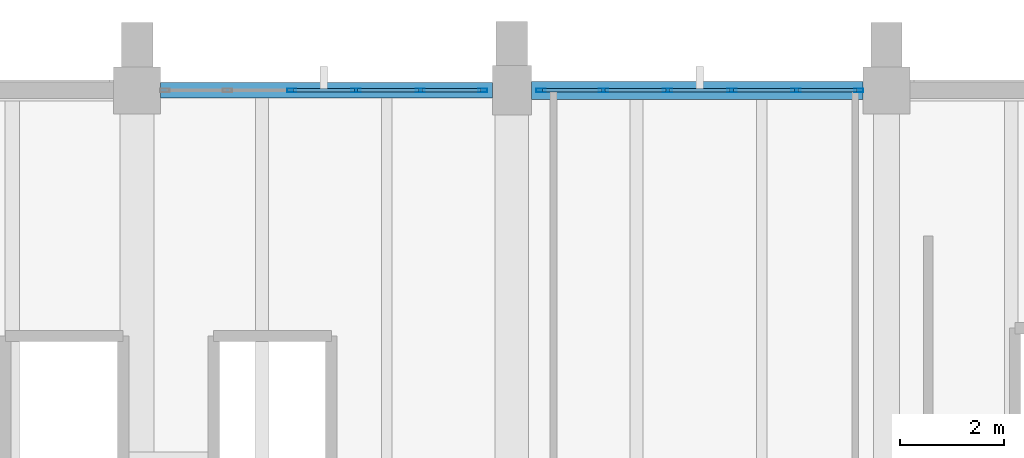
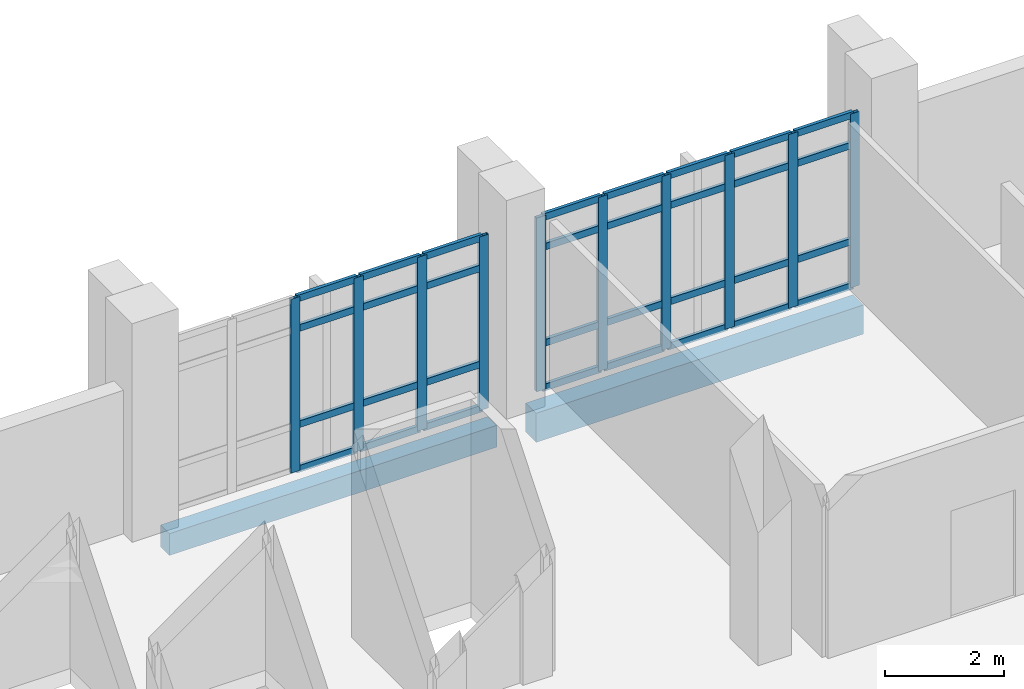
# One storey, part 57 of 134: 42 members, 2 beams, 2 elements without a shape of their own.
"""IFC4 building model written with IfcOpenShell, lengths in metres."""

from ifc_helpers import new_model, si_unit, direction, frame, origin, origin_2d, place, context, subcontext, project, spatial, rectangle, hollow_rectangle, extrude, material, material_profile, profile_set, type_object, element, aggregate, save


model = new_model("IFC4")

# Units and contexts
model_context = context("Model", 3, precision=1e-05, world=origin(), true_north=direction((0.0, 1.0)))
body_context = subcontext(model_context, "Body", "Model", "MODEL_VIEW")
ifc_project = project(units=[si_unit("LENGTHUNIT", "METRE"), si_unit("AREAUNIT", "SQUARE_METRE"), si_unit("VOLUMEUNIT", "CUBIC_METRE"), si_unit("PLANEANGLEUNIT", "RADIAN"), si_unit("MASSUNIT", "GRAM", prefix="KILO")], contexts=[model_context])

# Site, building, storey
site_placement = place(None, origin())
site = spatial("IfcSite", under=ifc_project, at=site_placement, CompositionType="ELEMENT")
building_placement = place(site_placement, origin())
building = spatial("IfcBuilding", under=site, at=building_placement, Name="Kalluvel Institute of Natural Sciences", CompositionType="ELEMENT")
storey_placement = place(building_placement, frame((0.0, 0.0, 5.39990234375)))
storey = spatial("IfcBuildingStorey", under=building, at=storey_placement, Name="L01", CompositionType="ELEMENT", Elevation=5.39990234375)

# Curtain wall, members
ifc_material_1 = material(Name="Aluminium AW-6063 T6", Category="aluminium")
curtain_wall_type = type_object("IfcCurtainWallType", Name="CW-WET-45", PredefinedType="USERDEFINED", material=ifc_material_1)
curtain_wall_1_placement = place(storey_placement, origin())
curtain_wall_1 = element("IfcCurtainWall", 1, at=curtain_wall_1_placement, inside=storey, type_object=curtain_wall_type, Name="L01 Gothic lancet curtain wall CWA-L01-X433-Y1280", ObjectType="UNITISED LANCET FACADE", PredefinedType="USERDEFINED")
ifc_material_profile_1 = material_profile(ifc_material_1, hollow_rectangle(XDim=0.06494140625, YDim=0.179931640625, WallThickness=0.00439453125, at=origin_2d()), Name="CWM 65x180")
ifc_profile_set_1 = profile_set([ifc_material_profile_1], Name="Aluminium AW-6063 T6")
member_type_1 = type_object("IfcMemberType", Name="CWM-65x180", PredefinedType="MULLION", material=ifc_profile_set_1)
member_1_placement = place(storey_placement, frame((45.77001953125, 128.0, 0.0), z_axis=(0.0, 0.0, 1.0), x_axis=(0.0, 1.0, 0.0)))
member_1 = element("IfcMember", 2, at=member_1_placement, type_object=member_type_1, Name="CW-01 mullion 3", PredefinedType="MULLION", context=body_context, shape_type="SweptSolid", body=[
    extrude(hollow_rectangle(XDim=0.06494140625, YDim=0.179931640625, WallThickness=0.00439453125, at=origin_2d()), origin(), (0.0, 0.0, 1.0), 3.580078125),
])
member_2_placement = place(storey_placement, frame((47.0048828125, 128.0, 0.0), z_axis=(0.0, 0.0, 1.0), x_axis=(0.0, 1.0, 0.0)))
member_2 = element("IfcMember", 3, at=member_2_placement, type_object=member_type_1, Name="CW-01 mullion 4", PredefinedType="MULLION", context=body_context, shape_type="SweptSolid", body=[
    extrude(hollow_rectangle(XDim=0.06494140625, YDim=0.179931640625, WallThickness=0.00439453125, at=origin_2d()), origin(), (0.0, 0.0, 1.0), 3.580078125),
])
member_3_placement = place(storey_placement, frame((48.239990234375, 128.0, 0.0), z_axis=(0.0, 0.0, 1.0), x_axis=(0.0, 1.0, 0.0)))
member_3 = element("IfcMember", 4, at=member_3_placement, type_object=member_type_1, Name="CW-01 mullion 5", PredefinedType="MULLION", context=body_context, shape_type="SweptSolid", body=[
    extrude(hollow_rectangle(XDim=0.06494140625, YDim=0.179931640625, WallThickness=0.00439453125, at=origin_2d()), origin(), (0.0, 0.0, 1.0), 3.580078125),
])
member_4_placement = place(storey_placement, frame((49.4423828125, 128.0, 0.0), z_axis=(0.0, 0.0, 1.0), x_axis=(0.0, 1.0, 0.0)))
member_4 = element("IfcMember", 5, at=member_4_placement, type_object=member_type_1, Name="CW-01 mullion 6", PredefinedType="MULLION", context=body_context, shape_type="SweptSolid", body=[
    extrude(hollow_rectangle(XDim=0.06494140625, YDim=0.179931640625, WallThickness=0.00439453125, at=origin_2d()), origin(), (0.0, 0.0, 1.0), 3.580078125),
])

curtain_wall_2_placement = place(storey_placement, origin())
curtain_wall_2 = element("IfcCurtainWall", 6, at=curtain_wall_2_placement, inside=storey, type_object=curtain_wall_type, Name="L01 Gothic lancet curtain wall CWA-L01-X505-Y1280", ObjectType="UNITISED LANCET FACADE", PredefinedType="USERDEFINED")
member_5_placement = place(storey_placement, frame((50.5576171875, 128.0, 0.0), z_axis=(0.0, 0.0, 1.0), x_axis=(0.0, 1.0, 0.0)))
member_5 = element("IfcMember", 7, at=member_5_placement, type_object=member_type_1, Name="CW-01 mullion 1", PredefinedType="MULLION", context=body_context, shape_type="SweptSolid", body=[
    extrude(hollow_rectangle(XDim=0.06494140625, YDim=0.179931640625, WallThickness=0.00439453125, at=origin_2d()), origin(), (0.0, 0.0, 1.0), 3.580078125),
])
member_6_placement = place(storey_placement, frame((51.760009765625, 128.0, 0.0), z_axis=(0.0, 0.0, 1.0), x_axis=(0.0, 1.0, 0.0)))
member_6 = element("IfcMember", 8, at=member_6_placement, type_object=member_type_1, Name="CW-01 mullion 2", PredefinedType="MULLION", context=body_context, shape_type="SweptSolid", body=[
    extrude(hollow_rectangle(XDim=0.06494140625, YDim=0.179931640625, WallThickness=0.00439453125, at=origin_2d()), origin(), (0.0, 0.0, 1.0), 3.580078125),
])
member_7_placement = place(storey_placement, frame((52.9951171875, 128.0, 0.0), z_axis=(0.0, 0.0, 1.0), x_axis=(0.0, 1.0, 0.0)))
member_7 = element("IfcMember", 9, at=member_7_placement, type_object=member_type_1, Name="CW-01 mullion 3", PredefinedType="MULLION", context=body_context, shape_type="SweptSolid", body=[
    extrude(hollow_rectangle(XDim=0.06494140625, YDim=0.179931640625, WallThickness=0.00439453125, at=origin_2d()), origin(), (0.0, 0.0, 1.0), 3.580078125),
])
member_8_placement = place(storey_placement, frame((54.22998046875, 128.0, 0.0), z_axis=(0.0, 0.0, 1.0), x_axis=(0.0, 1.0, 0.0)))
member_8 = element("IfcMember", 10, at=member_8_placement, type_object=member_type_1, Name="CW-01 mullion 4", PredefinedType="MULLION", context=body_context, shape_type="SweptSolid", body=[
    extrude(hollow_rectangle(XDim=0.06494140625, YDim=0.179931640625, WallThickness=0.00439453125, at=origin_2d()), origin(), (0.0, 0.0, 1.0), 3.580078125),
])
member_9_placement = place(storey_placement, frame((55.465087890625, 128.0, 0.0), z_axis=(0.0, 0.0, 1.0), x_axis=(0.0, 1.0, 0.0)))
member_9 = element("IfcMember", 11, at=member_9_placement, type_object=member_type_1, Name="CW-01 mullion 5", PredefinedType="MULLION", context=body_context, shape_type="SweptSolid", body=[
    extrude(hollow_rectangle(XDim=0.06494140625, YDim=0.179931640625, WallThickness=0.00439453125, at=origin_2d()), origin(), (0.0, 0.0, 1.0), 3.580078125),
])
member_10_placement = place(storey_placement, frame((56.66748046875, 128.0, 0.0), z_axis=(0.0, 0.0, 1.0), x_axis=(0.0, 1.0, 0.0)))
member_10 = element("IfcMember", 12, at=member_10_placement, type_object=member_type_1, Name="CW-01 mullion 6", PredefinedType="MULLION", context=body_context, shape_type="SweptSolid", body=[
    extrude(hollow_rectangle(XDim=0.06494140625, YDim=0.179931640625, WallThickness=0.00439453125, at=origin_2d()), origin(), (0.0, 0.0, 1.0), 3.580078125),
])

# Member
ifc_material_profile_2 = material_profile(ifc_material_1, hollow_rectangle(XDim=0.06494140625, YDim=0.139892578125, WallThickness=0.00439453125, at=origin_2d()), Name="CWT 65x140")
ifc_profile_set_2 = profile_set([ifc_material_profile_2], Name="Aluminium AW-6063 T6")
member_type_2 = type_object("IfcMemberType", Name="CWT-65x140", PredefinedType="USERDEFINED", material=ifc_profile_set_2)
member_11_placement = place(storey_placement, frame((45.802490234375, 128.0, 0.03271484375), z_axis=(1.0, 0.0, 0.0), x_axis=(0.0, 1.0, 0.0)))
member_11 = element("IfcMember", 13, at=member_11_placement, type_object=member_type_2, Name="CW-01 transom 3.1", ObjectType="TRANSOM", PredefinedType="USERDEFINED", context=body_context, shape_type="SweptSolid", body=[
    extrude(hollow_rectangle(XDim=0.06494140625, YDim=0.139892578125, WallThickness=0.00439453125, at=origin_2d()), origin(), (0.0, 0.0, 1.0), 1.169921875),
])

member_12_placement = place(storey_placement, frame((45.802490234375, 128.0, 0.9501953125), z_axis=(1.0, 0.0, 0.0), x_axis=(0.0, 1.0, 0.0)))
member_12 = element("IfcMember", 14, at=member_12_placement, type_object=member_type_2, Name="CW-01 transom 3.2", ObjectType="TRANSOM", PredefinedType="USERDEFINED", context=body_context, shape_type="SweptSolid", body=[
    extrude(hollow_rectangle(XDim=0.06494140625, YDim=0.139892578125, WallThickness=0.00439453125, at=origin_2d()), origin(), (0.0, 0.0, 1.0), 1.169921875),
])

member_13_placement = place(storey_placement, frame((45.802490234375, 128.0, 2.93017578125), z_axis=(1.0, 0.0, 0.0), x_axis=(0.0, 1.0, 0.0)))
member_13 = element("IfcMember", 15, at=member_13_placement, type_object=member_type_2, Name="CW-01 transom 3.3", ObjectType="TRANSOM", PredefinedType="USERDEFINED", context=body_context, shape_type="SweptSolid", body=[
    extrude(hollow_rectangle(XDim=0.06494140625, YDim=0.139892578125, WallThickness=0.00439453125, at=origin_2d()), origin(), (0.0, 0.0, 1.0), 1.169921875),
])

member_14_placement = place(storey_placement, frame((45.802490234375, 128.0, 3.547607421875), z_axis=(1.0, 0.0, 0.0), x_axis=(0.0, 1.0, 0.0)))
member_14 = element("IfcMember", 16, at=member_14_placement, type_object=member_type_2, Name="CW-01 transom 3.4", ObjectType="TRANSOM", PredefinedType="USERDEFINED", context=body_context, shape_type="SweptSolid", body=[
    extrude(hollow_rectangle(XDim=0.06494140625, YDim=0.139892578125, WallThickness=0.00439453125, at=origin_2d()), origin(), (0.0, 0.0, 1.0), 1.169921875),
])

member_15_placement = place(storey_placement, frame((47.03759765625, 128.0, 0.03271484375), z_axis=(1.0, 0.0, 0.0), x_axis=(0.0, 1.0, 0.0)))
member_15 = element("IfcMember", 17, at=member_15_placement, type_object=member_type_2, Name="CW-01 transom 4.1", ObjectType="TRANSOM", PredefinedType="USERDEFINED", context=body_context, shape_type="SweptSolid", body=[
    extrude(hollow_rectangle(XDim=0.06494140625, YDim=0.139892578125, WallThickness=0.00439453125, at=origin_2d()), origin(), (0.0, 0.0, 1.0), 1.169921875),
])

member_16_placement = place(storey_placement, frame((47.03759765625, 128.0, 0.9501953125), z_axis=(1.0, 0.0, 0.0), x_axis=(0.0, 1.0, 0.0)))
member_16 = element("IfcMember", 18, at=member_16_placement, type_object=member_type_2, Name="CW-01 transom 4.2", ObjectType="TRANSOM", PredefinedType="USERDEFINED", context=body_context, shape_type="SweptSolid", body=[
    extrude(hollow_rectangle(XDim=0.06494140625, YDim=0.139892578125, WallThickness=0.00439453125, at=origin_2d()), origin(), (0.0, 0.0, 1.0), 1.169921875),
])

member_17_placement = place(storey_placement, frame((47.03759765625, 128.0, 2.93017578125), z_axis=(1.0, 0.0, 0.0), x_axis=(0.0, 1.0, 0.0)))
member_17 = element("IfcMember", 19, at=member_17_placement, type_object=member_type_2, Name="CW-01 transom 4.3", ObjectType="TRANSOM", PredefinedType="USERDEFINED", context=body_context, shape_type="SweptSolid", body=[
    extrude(hollow_rectangle(XDim=0.06494140625, YDim=0.139892578125, WallThickness=0.00439453125, at=origin_2d()), origin(), (0.0, 0.0, 1.0), 1.169921875),
])

member_18_placement = place(storey_placement, frame((47.03759765625, 128.0, 3.547607421875), z_axis=(1.0, 0.0, 0.0), x_axis=(0.0, 1.0, 0.0)))
member_18 = element("IfcMember", 20, at=member_18_placement, type_object=member_type_2, Name="CW-01 transom 4.4", ObjectType="TRANSOM", PredefinedType="USERDEFINED", context=body_context, shape_type="SweptSolid", body=[
    extrude(hollow_rectangle(XDim=0.06494140625, YDim=0.139892578125, WallThickness=0.00439453125, at=origin_2d()), origin(), (0.0, 0.0, 1.0), 1.169921875),
])

member_19_placement = place(storey_placement, frame((48.2724609375, 128.0, 0.03271484375), z_axis=(1.0, 0.0, 0.0), x_axis=(0.0, 1.0, 0.0)))
member_19 = element("IfcMember", 21, at=member_19_placement, type_object=member_type_2, Name="CW-01 transom 5.1", ObjectType="TRANSOM", PredefinedType="USERDEFINED", context=body_context, shape_type="SweptSolid", body=[
    extrude(hollow_rectangle(XDim=0.06494140625, YDim=0.139892578125, WallThickness=0.00439453125, at=origin_2d()), origin(), (0.0, 0.0, 1.0), 1.137451171875),
])

member_20_placement = place(storey_placement, frame((48.2724609375, 128.0, 0.9501953125), z_axis=(1.0, 0.0, 0.0), x_axis=(0.0, 1.0, 0.0)))
member_20 = element("IfcMember", 22, at=member_20_placement, type_object=member_type_2, Name="CW-01 transom 5.2", ObjectType="TRANSOM", PredefinedType="USERDEFINED", context=body_context, shape_type="SweptSolid", body=[
    extrude(hollow_rectangle(XDim=0.06494140625, YDim=0.139892578125, WallThickness=0.00439453125, at=origin_2d()), origin(), (0.0, 0.0, 1.0), 1.137451171875),
])

member_21_placement = place(storey_placement, frame((48.2724609375, 128.0, 2.93017578125), z_axis=(1.0, 0.0, 0.0), x_axis=(0.0, 1.0, 0.0)))
member_21 = element("IfcMember", 23, at=member_21_placement, type_object=member_type_2, Name="CW-01 transom 5.3", ObjectType="TRANSOM", PredefinedType="USERDEFINED", context=body_context, shape_type="SweptSolid", body=[
    extrude(hollow_rectangle(XDim=0.06494140625, YDim=0.139892578125, WallThickness=0.00439453125, at=origin_2d()), origin(), (0.0, 0.0, 1.0), 1.137451171875),
])

member_22_placement = place(storey_placement, frame((48.2724609375, 128.0, 3.547607421875), z_axis=(1.0, 0.0, 0.0), x_axis=(0.0, 1.0, 0.0)))
member_22 = element("IfcMember", 24, at=member_22_placement, type_object=member_type_2, Name="CW-01 transom 5.4", ObjectType="TRANSOM", PredefinedType="USERDEFINED", context=body_context, shape_type="SweptSolid", body=[
    extrude(hollow_rectangle(XDim=0.06494140625, YDim=0.139892578125, WallThickness=0.00439453125, at=origin_2d()), origin(), (0.0, 0.0, 1.0), 1.137451171875),
])

aggregate(curtain_wall_1, [member_1, member_2, member_3, member_4, member_11, member_12, member_13, member_14, member_15, member_16, member_17, member_18, member_19, member_20, member_21, member_22])

member_23_placement = place(storey_placement, frame((50.590087890625, 128.0, 0.03271484375), z_axis=(1.0, 0.0, 0.0), x_axis=(0.0, 1.0, 0.0)))
member_23 = element("IfcMember", 25, at=member_23_placement, type_object=member_type_2, Name="CW-01 transom 1.1", ObjectType="TRANSOM", PredefinedType="USERDEFINED", context=body_context, shape_type="SweptSolid", body=[
    extrude(hollow_rectangle(XDim=0.06494140625, YDim=0.139892578125, WallThickness=0.00439453125, at=origin_2d()), origin(), (0.0, 0.0, 1.0), 1.137451171875),
])

member_24_placement = place(storey_placement, frame((50.590087890625, 128.0, 0.9501953125), z_axis=(1.0, 0.0, 0.0), x_axis=(0.0, 1.0, 0.0)))
member_24 = element("IfcMember", 26, at=member_24_placement, type_object=member_type_2, Name="CW-01 transom 1.2", ObjectType="TRANSOM", PredefinedType="USERDEFINED", context=body_context, shape_type="SweptSolid", body=[
    extrude(hollow_rectangle(XDim=0.06494140625, YDim=0.139892578125, WallThickness=0.00439453125, at=origin_2d()), origin(), (0.0, 0.0, 1.0), 1.137451171875),
])

member_25_placement = place(storey_placement, frame((50.590087890625, 128.0, 2.93017578125), z_axis=(1.0, 0.0, 0.0), x_axis=(0.0, 1.0, 0.0)))
member_25 = element("IfcMember", 27, at=member_25_placement, type_object=member_type_2, Name="CW-01 transom 1.3", ObjectType="TRANSOM", PredefinedType="USERDEFINED", context=body_context, shape_type="SweptSolid", body=[
    extrude(hollow_rectangle(XDim=0.06494140625, YDim=0.139892578125, WallThickness=0.00439453125, at=origin_2d()), origin(), (0.0, 0.0, 1.0), 1.137451171875),
])

member_26_placement = place(storey_placement, frame((50.590087890625, 128.0, 3.547607421875), z_axis=(1.0, 0.0, 0.0), x_axis=(0.0, 1.0, 0.0)))
member_26 = element("IfcMember", 28, at=member_26_placement, type_object=member_type_2, Name="CW-01 transom 1.4", ObjectType="TRANSOM", PredefinedType="USERDEFINED", context=body_context, shape_type="SweptSolid", body=[
    extrude(hollow_rectangle(XDim=0.06494140625, YDim=0.139892578125, WallThickness=0.00439453125, at=origin_2d()), origin(), (0.0, 0.0, 1.0), 1.137451171875),
])

member_27_placement = place(storey_placement, frame((51.79248046875, 128.0, 0.03271484375), z_axis=(1.0, 0.0, 0.0), x_axis=(0.0, 1.0, 0.0)))
member_27 = element("IfcMember", 29, at=member_27_placement, type_object=member_type_2, Name="CW-01 transom 2.1", ObjectType="TRANSOM", PredefinedType="USERDEFINED", context=body_context, shape_type="SweptSolid", body=[
    extrude(hollow_rectangle(XDim=0.06494140625, YDim=0.139892578125, WallThickness=0.00439453125, at=origin_2d()), origin(), (0.0, 0.0, 1.0), 1.169921875),
])

member_28_placement = place(storey_placement, frame((51.79248046875, 128.0, 0.9501953125), z_axis=(1.0, 0.0, 0.0), x_axis=(0.0, 1.0, 0.0)))
member_28 = element("IfcMember", 30, at=member_28_placement, type_object=member_type_2, Name="CW-01 transom 2.2", ObjectType="TRANSOM", PredefinedType="USERDEFINED", context=body_context, shape_type="SweptSolid", body=[
    extrude(hollow_rectangle(XDim=0.06494140625, YDim=0.139892578125, WallThickness=0.00439453125, at=origin_2d()), origin(), (0.0, 0.0, 1.0), 1.169921875),
])

member_29_placement = place(storey_placement, frame((51.79248046875, 128.0, 2.93017578125), z_axis=(1.0, 0.0, 0.0), x_axis=(0.0, 1.0, 0.0)))
member_29 = element("IfcMember", 31, at=member_29_placement, type_object=member_type_2, Name="CW-01 transom 2.3", ObjectType="TRANSOM", PredefinedType="USERDEFINED", context=body_context, shape_type="SweptSolid", body=[
    extrude(hollow_rectangle(XDim=0.06494140625, YDim=0.139892578125, WallThickness=0.00439453125, at=origin_2d()), origin(), (0.0, 0.0, 1.0), 1.169921875),
])

member_30_placement = place(storey_placement, frame((51.79248046875, 128.0, 3.547607421875), z_axis=(1.0, 0.0, 0.0), x_axis=(0.0, 1.0, 0.0)))
member_30 = element("IfcMember", 32, at=member_30_placement, type_object=member_type_2, Name="CW-01 transom 2.4", ObjectType="TRANSOM", PredefinedType="USERDEFINED", context=body_context, shape_type="SweptSolid", body=[
    extrude(hollow_rectangle(XDim=0.06494140625, YDim=0.139892578125, WallThickness=0.00439453125, at=origin_2d()), origin(), (0.0, 0.0, 1.0), 1.169921875),
])

member_31_placement = place(storey_placement, frame((53.027587890625, 128.0, 0.03271484375), z_axis=(1.0, 0.0, 0.0), x_axis=(0.0, 1.0, 0.0)))
member_31 = element("IfcMember", 33, at=member_31_placement, type_object=member_type_2, Name="CW-01 transom 3.1", ObjectType="TRANSOM", PredefinedType="USERDEFINED", context=body_context, shape_type="SweptSolid", body=[
    extrude(hollow_rectangle(XDim=0.06494140625, YDim=0.139892578125, WallThickness=0.00439453125, at=origin_2d()), origin(), (0.0, 0.0, 1.0), 1.169921875),
])

member_32_placement = place(storey_placement, frame((53.027587890625, 128.0, 0.9501953125), z_axis=(1.0, 0.0, 0.0), x_axis=(0.0, 1.0, 0.0)))
member_32 = element("IfcMember", 34, at=member_32_placement, type_object=member_type_2, Name="CW-01 transom 3.2", ObjectType="TRANSOM", PredefinedType="USERDEFINED", context=body_context, shape_type="SweptSolid", body=[
    extrude(hollow_rectangle(XDim=0.06494140625, YDim=0.139892578125, WallThickness=0.00439453125, at=origin_2d()), origin(), (0.0, 0.0, 1.0), 1.169921875),
])

member_33_placement = place(storey_placement, frame((53.027587890625, 128.0, 2.93017578125), z_axis=(1.0, 0.0, 0.0), x_axis=(0.0, 1.0, 0.0)))
member_33 = element("IfcMember", 35, at=member_33_placement, type_object=member_type_2, Name="CW-01 transom 3.3", ObjectType="TRANSOM", PredefinedType="USERDEFINED", context=body_context, shape_type="SweptSolid", body=[
    extrude(hollow_rectangle(XDim=0.06494140625, YDim=0.139892578125, WallThickness=0.00439453125, at=origin_2d()), origin(), (0.0, 0.0, 1.0), 1.169921875),
])

member_34_placement = place(storey_placement, frame((53.027587890625, 128.0, 3.547607421875), z_axis=(1.0, 0.0, 0.0), x_axis=(0.0, 1.0, 0.0)))
member_34 = element("IfcMember", 36, at=member_34_placement, type_object=member_type_2, Name="CW-01 transom 3.4", ObjectType="TRANSOM", PredefinedType="USERDEFINED", context=body_context, shape_type="SweptSolid", body=[
    extrude(hollow_rectangle(XDim=0.06494140625, YDim=0.139892578125, WallThickness=0.00439453125, at=origin_2d()), origin(), (0.0, 0.0, 1.0), 1.169921875),
])

member_35_placement = place(storey_placement, frame((54.262451171875, 128.0, 0.03271484375), z_axis=(1.0, 0.0, 0.0), x_axis=(0.0, 1.0, 0.0)))
member_35 = element("IfcMember", 37, at=member_35_placement, type_object=member_type_2, Name="CW-01 transom 4.1", ObjectType="TRANSOM", PredefinedType="USERDEFINED", context=body_context, shape_type="SweptSolid", body=[
    extrude(hollow_rectangle(XDim=0.06494140625, YDim=0.139892578125, WallThickness=0.00439453125, at=origin_2d()), origin(), (0.0, 0.0, 1.0), 1.170166015625),
])

member_36_placement = place(storey_placement, frame((54.262451171875, 128.0, 0.9501953125), z_axis=(1.0, 0.0, 0.0), x_axis=(0.0, 1.0, 0.0)))
member_36 = element("IfcMember", 38, at=member_36_placement, type_object=member_type_2, Name="CW-01 transom 4.2", ObjectType="TRANSOM", PredefinedType="USERDEFINED", context=body_context, shape_type="SweptSolid", body=[
    extrude(hollow_rectangle(XDim=0.06494140625, YDim=0.139892578125, WallThickness=0.00439453125, at=origin_2d()), origin(), (0.0, 0.0, 1.0), 1.170166015625),
])

member_37_placement = place(storey_placement, frame((54.262451171875, 128.0, 2.93017578125), z_axis=(1.0, 0.0, 0.0), x_axis=(0.0, 1.0, 0.0)))
member_37 = element("IfcMember", 39, at=member_37_placement, type_object=member_type_2, Name="CW-01 transom 4.3", ObjectType="TRANSOM", PredefinedType="USERDEFINED", context=body_context, shape_type="SweptSolid", body=[
    extrude(hollow_rectangle(XDim=0.06494140625, YDim=0.139892578125, WallThickness=0.00439453125, at=origin_2d()), origin(), (0.0, 0.0, 1.0), 1.170166015625),
])

member_38_placement = place(storey_placement, frame((54.262451171875, 128.0, 3.547607421875), z_axis=(1.0, 0.0, 0.0), x_axis=(0.0, 1.0, 0.0)))
member_38 = element("IfcMember", 40, at=member_38_placement, type_object=member_type_2, Name="CW-01 transom 4.4", ObjectType="TRANSOM", PredefinedType="USERDEFINED", context=body_context, shape_type="SweptSolid", body=[
    extrude(hollow_rectangle(XDim=0.06494140625, YDim=0.139892578125, WallThickness=0.00439453125, at=origin_2d()), origin(), (0.0, 0.0, 1.0), 1.170166015625),
])

member_39_placement = place(storey_placement, frame((55.49755859375, 128.0, 0.03271484375), z_axis=(1.0, 0.0, 0.0), x_axis=(0.0, 1.0, 0.0)))
member_39 = element("IfcMember", 41, at=member_39_placement, type_object=member_type_2, Name="CW-01 transom 5.1", ObjectType="TRANSOM", PredefinedType="USERDEFINED", context=body_context, shape_type="SweptSolid", body=[
    extrude(hollow_rectangle(XDim=0.06494140625, YDim=0.139892578125, WallThickness=0.00439453125, at=origin_2d()), origin(), (0.0, 0.0, 1.0), 1.137451171875),
])

member_40_placement = place(storey_placement, frame((55.49755859375, 128.0, 0.9501953125), z_axis=(1.0, 0.0, 0.0), x_axis=(0.0, 1.0, 0.0)))
member_40 = element("IfcMember", 42, at=member_40_placement, type_object=member_type_2, Name="CW-01 transom 5.2", ObjectType="TRANSOM", PredefinedType="USERDEFINED", context=body_context, shape_type="SweptSolid", body=[
    extrude(hollow_rectangle(XDim=0.06494140625, YDim=0.139892578125, WallThickness=0.00439453125, at=origin_2d()), origin(), (0.0, 0.0, 1.0), 1.137451171875),
])

member_41_placement = place(storey_placement, frame((55.49755859375, 128.0, 2.93017578125), z_axis=(1.0, 0.0, 0.0), x_axis=(0.0, 1.0, 0.0)))
member_41 = element("IfcMember", 43, at=member_41_placement, type_object=member_type_2, Name="CW-01 transom 5.3", ObjectType="TRANSOM", PredefinedType="USERDEFINED", context=body_context, shape_type="SweptSolid", body=[
    extrude(hollow_rectangle(XDim=0.06494140625, YDim=0.139892578125, WallThickness=0.00439453125, at=origin_2d()), origin(), (0.0, 0.0, 1.0), 1.137451171875),
])

member_42_placement = place(storey_placement, frame((55.49755859375, 128.0, 3.547607421875), z_axis=(1.0, 0.0, 0.0), x_axis=(0.0, 1.0, 0.0)))
member_42 = element("IfcMember", 44, at=member_42_placement, type_object=member_type_2, Name="CW-01 transom 5.4", ObjectType="TRANSOM", PredefinedType="USERDEFINED", context=body_context, shape_type="SweptSolid", body=[
    extrude(hollow_rectangle(XDim=0.06494140625, YDim=0.139892578125, WallThickness=0.00439453125, at=origin_2d()), origin(), (0.0, 0.0, 1.0), 1.137451171875),
])

aggregate(curtain_wall_2, [member_5, member_6, member_7, member_8, member_9, member_10, member_23, member_24, member_25, member_26, member_27, member_28, member_29, member_30, member_31, member_32, member_33, member_34, member_35, member_36, member_37, member_38, member_39, member_40, member_41, member_42])

# Beams
ifc_material_2 = material(Name="Concrete M40", Category="concrete")
ifc_material_profile_3 = material_profile(ifc_material_2, rectangle(XDim=0.300048828125, YDim=0.449951171875, at=origin_2d()), Name="RCB 300x450")
ifc_profile_set_3 = profile_set([ifc_material_profile_3], Name="Concrete M40")
beam_type_1 = type_object("IfcBeamType", Name="SP-RC300x450", PredefinedType="SPANDREL", material=ifc_profile_set_3)
beam_1_placement = place(storey_placement, frame((43.25, 128.0, -0.544921875), z_axis=(1.0, 0.0, 0.0), x_axis=(0.0, 1.0, 0.0)))
element("IfcBeam", 45, at=beam_1_placement, inside=storey, type_object=beam_type_1, Name="L01 girder GIR-L01-EW-X428-Y1280", PredefinedType="SPANDREL", context=body_context, shape_type="SweptSolid", body=[
    extrude(rectangle(XDim=0.300048828125, YDim=0.449951171875, at=origin_2d()), origin(), (0.0, 0.0, 1.0), 6.375),
])
ifc_material_profile_4 = material_profile(ifc_material_2, rectangle(XDim=0.35009765625, YDim=0.60009765625, at=origin_2d()), Name="RCB 350x600")
ifc_profile_set_4 = profile_set([ifc_material_profile_4], Name="Concrete M40")
beam_type_2 = type_object("IfcBeamType", Name="SP-RC350x600", PredefinedType="SPANDREL", material=ifc_profile_set_4)
beam_2_placement = place(storey_placement, frame((50.375, 128.0, -0.619873046875), z_axis=(1.0, 0.0, 0.0), x_axis=(0.0, 1.0, 0.0)))
element("IfcBeam", 46, at=beam_2_placement, inside=storey, type_object=beam_type_2, Name="L01 girder GIR-L01-EW-X500-Y1280", PredefinedType="SPANDREL", context=body_context, shape_type="SweptSolid", body=[
    extrude(rectangle(XDim=0.35009765625, YDim=0.60009765625, at=origin_2d()), origin(), (0.0, 0.0, 1.0), 6.375),
])

save(model, "model.ifc")
